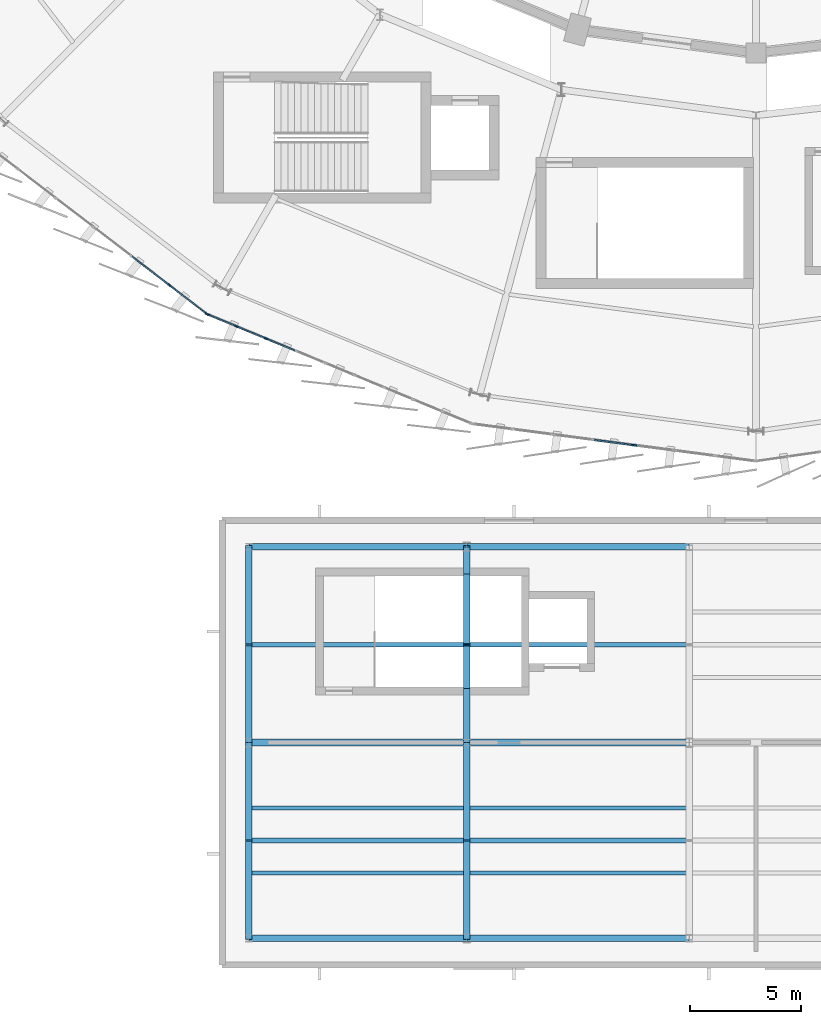
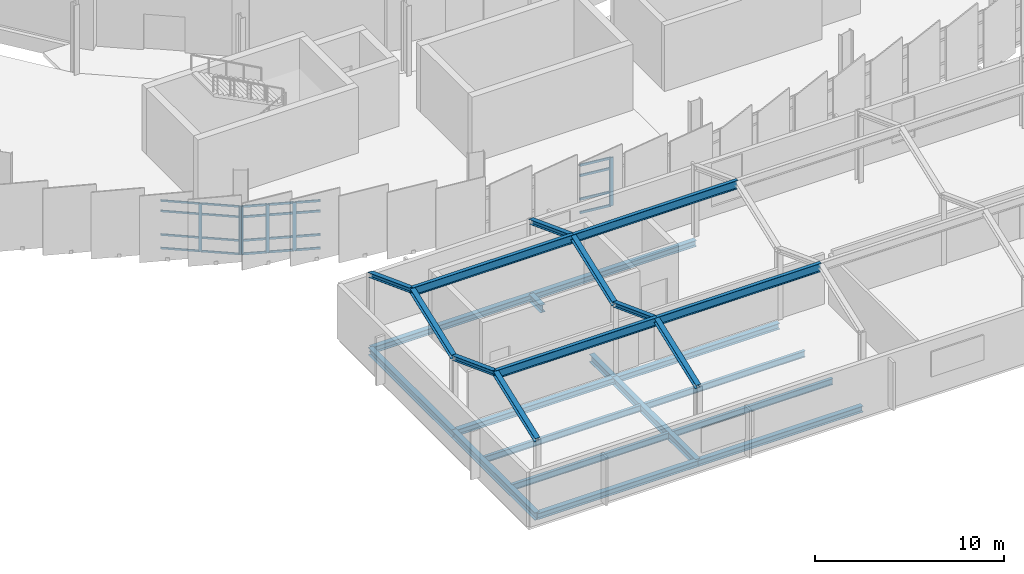
# One storey, part 15 of 87: 30 members, 27 beams, 3 elements without a shape of their own.
"""IFC4 building model written with IfcOpenShell, lengths in metres."""

from ifc_helpers import new_model, si_unit, direction, frame, origin, origin_2d, place, context, subcontext, project, spatial, rectangle, i_section, extrude, material, layer, layer_set, material_profile, profile_set, type_object, element, aggregate, save


model = new_model("IFC4")

# Units and contexts
model_context = context("Model", 3, precision=1e-05, world=origin(), true_north=direction((0.0, 1.0)))
body_context = subcontext(model_context, "Body", "Model", "MODEL_VIEW")
ifc_project = project(units=[si_unit("LENGTHUNIT", "METRE"), si_unit("AREAUNIT", "SQUARE_METRE"), si_unit("VOLUMEUNIT", "CUBIC_METRE"), si_unit("PLANEANGLEUNIT", "RADIAN"), si_unit("MASSUNIT", "GRAM", prefix="KILO")], contexts=[model_context])

# Site, building, storey
site_placement = place(None, origin())
site = spatial("IfcSite", under=ifc_project, at=site_placement, CompositionType="ELEMENT")
building_placement = place(site_placement, origin())
building = spatial("IfcBuilding", under=site, at=building_placement, Name="Sohan Crest Arena", CompositionType="ELEMENT")
storey_placement = place(building_placement, frame((0.0, 0.0, 18.0)))
storey = spatial("IfcBuildingStorey", under=building, at=storey_placement, Name="L04", CompositionType="ELEMENT", Elevation=18.0)

# Curtain wall, members
ifc_material_1 = material(Name="Thermally broken anodised aluminium", Category="aluminium")
ifc_layer_1 = layer(ifc_material_1, 0.239990234375, Name="Thermally broken anodised aluminium")
ifc_layer_set_1 = layer_set([ifc_layer_1], Name="Thermally broken anodised aluminium")
curtain_wall_type_1 = type_object("IfcCurtainWallType", Name="ARC-CW04", PredefinedType="NOTDEFINED", material=ifc_layer_set_1)
curtain_wall_1_placement = place(storey_placement, origin())
curtain_wall_1 = element("IfcCurtainWall", 1, at=curtain_wall_1_placement, inside=storey, type_object=curtain_wall_type_1, Name="Unitised curtain wall CW-121", PredefinedType="NOTDEFINED")
ifc_material_profile_1 = material_profile(ifc_material_1, rectangle(XDim=0.06494140625, YDim=0.179931640625, at=origin_2d()), Name="ALU-MULL 65x180")
ifc_profile_set_1 = profile_set([ifc_material_profile_1], Name="Thermally broken anodised aluminium")
member_type_1 = type_object("IfcMemberType", Name="ARC-CW-ML02", PredefinedType="MULLION", material=ifc_profile_set_1)
member_1_placement = place(storey_placement, frame((71.62158203125, 36.569091796875, 0.0), z_axis=(0.0, 0.0, 1.0), x_axis=(0.60871994181, 0.793385172815, 0.0)))
member_1 = element("IfcMember", 2, at=member_1_placement, type_object=member_type_1, Name="CW-121 mullion 6", PredefinedType="MULLION", context=body_context, shape_type="SweptSolid", body=[
    extrude(rectangle(XDim=0.06494140625, YDim=0.179931640625, at=origin_2d()), origin(), (0.0, 0.0, 1.0), 3.1201171875),
])
member_2_placement = place(storey_placement, frame((73.29931640625, 35.28173828125, 0.0), z_axis=(0.0, 0.0, 1.0), x_axis=(0.60871994181, 0.793385172815, 0.0)))
member_2 = element("IfcMember", 3, at=member_2_placement, type_object=member_type_1, Name="CW-121 mullion 7", PredefinedType="MULLION", context=body_context, shape_type="SweptSolid", body=[
    extrude(rectangle(XDim=0.06494140625, YDim=0.179931640625, at=origin_2d()), origin(), (0.0, 0.0, 1.0), 3.1201171875),
])

ifc_layer_2 = layer(ifc_material_1, 0.18994140625, Name="Thermally broken anodised aluminium")
ifc_layer_set_2 = layer_set([ifc_layer_2], Name="Thermally broken anodised aluminium")
curtain_wall_type_2 = type_object("IfcCurtainWallType", Name="ARC-CW05", PredefinedType="NOTDEFINED", material=ifc_layer_set_2)
curtain_wall_2_placement = place(storey_placement, origin())
curtain_wall_2 = element("IfcCurtainWall", 4, at=curtain_wall_2_placement, inside=storey, type_object=curtain_wall_type_2, Name="Unitised curtain wall CW-122", PredefinedType="NOTDEFINED")
ifc_material_profile_2 = material_profile(ifc_material_1, rectangle(XDim=0.070068359375, YDim=0.199951171875, at=origin_2d()), Name="ALU-MULL 70x200")
ifc_profile_set_2 = profile_set([ifc_material_profile_2], Name="Thermally broken anodised aluminium")
member_type_2 = type_object("IfcMemberType", Name="ARC-CW-ML03", PredefinedType="MULLION", material=ifc_profile_set_2)
member_3_placement = place(storey_placement, frame((73.357421875, 35.24853515625, 0.0), z_axis=(0.0, 0.0, 1.0), x_axis=(0.382685432009, 0.923878704229, 0.0)))
member_3 = element("IfcMember", 5, at=member_3_placement, type_object=member_type_2, Name="CW-122 mullion 1", PredefinedType="MULLION", context=body_context, shape_type="SweptSolid", body=[
    extrude(rectangle(XDim=0.070068359375, YDim=0.199951171875, at=origin_2d()), origin(), (0.0, 0.0, 1.0), 3.1201171875),
])
member_4_placement = place(storey_placement, frame((74.6474609375, 34.714111328125, 0.0), z_axis=(0.0, 0.0, 1.0), x_axis=(0.382685432009, 0.923878704229, 0.0)))
member_4 = element("IfcMember", 6, at=member_4_placement, type_object=member_type_2, Name="CW-122 mullion 2", PredefinedType="MULLION", context=body_context, shape_type="SweptSolid", body=[
    extrude(rectangle(XDim=0.070068359375, YDim=0.199951171875, at=origin_2d()), origin(), (0.0, 0.0, 1.0), 3.1201171875),
])
member_5_placement = place(storey_placement, frame((75.969970703125, 34.16650390625, 0.0), z_axis=(0.0, 0.0, 1.0), x_axis=(0.382685432009, 0.923878704229, 0.0)))
member_5 = element("IfcMember", 7, at=member_5_placement, type_object=member_type_2, Name="CW-122 mullion 3", PredefinedType="MULLION", context=body_context, shape_type="SweptSolid", body=[
    extrude(rectangle(XDim=0.070068359375, YDim=0.199951171875, at=origin_2d()), origin(), (0.0, 0.0, 1.0), 3.1201171875),
])

# Curtain wall, member
ifc_layer_3 = layer(ifc_material_1, 0.2099609375, Name="Thermally broken anodised aluminium")
ifc_layer_set_3 = layer_set([ifc_layer_3], Name="Thermally broken anodised aluminium")
curtain_wall_type_3 = type_object("IfcCurtainWallType", Name="ARC-CW06", PredefinedType="NOTDEFINED", material=ifc_layer_set_3)
curtain_wall_3_placement = place(storey_placement, origin())
curtain_wall_3 = element("IfcCurtainWall", 8, at=curtain_wall_3_placement, inside=storey, type_object=curtain_wall_type_3, Name="Unitised curtain wall CW-123", PredefinedType="NOTDEFINED")
ifc_material_profile_3 = material_profile(ifc_material_1, rectangle(XDim=0.074951171875, YDim=0.219970703125, at=origin_2d()), Name="ALU-MULL 75x220")
ifc_profile_set_3 = profile_set([ifc_material_profile_3], Name="Thermally broken anodised aluminium")
member_type_3 = type_object("IfcMemberType", Name="ARC-CW-ML04", PredefinedType="MULLION", material=ifc_profile_set_3)
member_6_placement = place(storey_placement, frame((92.52587890625, 29.370849609375, 0.0), z_axis=(0.0, 0.0, 1.0), x_axis=(0.130556913275, 0.991440816386, 0.0)))
member_6 = element("IfcMember", 9, at=member_6_placement, type_object=member_type_3, Name="CW-123 mullion 5", PredefinedType="MULLION", context=body_context, shape_type="SweptSolid", body=[
    extrude(rectangle(XDim=0.074951171875, YDim=0.219970703125, at=origin_2d()), origin(), (0.0, 0.0, 1.0), 3.1201171875),
])

# Member
ifc_material_profile_4 = material_profile(ifc_material_1, rectangle(XDim=0.06005859375, YDim=0.1201171875, at=origin_2d()), Name="ALU-TRAN 60x120")
ifc_profile_set_4 = profile_set([ifc_material_profile_4], Name="Thermally broken anodised aluminium")
member_type_4 = type_object("IfcMemberType", Name="ARC-CW-TR01", PredefinedType="USERDEFINED", material=ifc_profile_set_4)
member_7_placement = place(storey_placement, frame((69.94384765625, 37.856201171875, 0.030029296875), z_axis=(0.79339492991, -0.608707224529, 0.0), x_axis=(0.608707224529, 0.79339492991, 0.0)))
member_7 = element("IfcMember", 10, at=member_7_placement, type_object=member_type_4, Name="CW-121 transom 5.1", ObjectType="TRANSOM", PredefinedType="USERDEFINED", context=body_context, shape_type="SweptSolid", body=[
    extrude(rectangle(XDim=0.06005859375, YDim=0.1201171875, at=origin_2d()), origin(), (0.0, 0.0, 1.0), 2.08203125),
])

member_8_placement = place(storey_placement, frame((69.94384765625, 37.856201171875, 0.89990234375), z_axis=(0.79339492991, -0.608707224529, 0.0), x_axis=(0.608707224529, 0.79339492991, 0.0)))
member_8 = element("IfcMember", 11, at=member_8_placement, type_object=member_type_4, Name="CW-121 transom 5.2", ObjectType="TRANSOM", PredefinedType="USERDEFINED", context=body_context, shape_type="SweptSolid", body=[
    extrude(rectangle(XDim=0.06005859375, YDim=0.1201171875, at=origin_2d()), origin(), (0.0, 0.0, 1.0), 2.08203125),
])

member_9_placement = place(storey_placement, frame((69.94384765625, 37.856201171875, 2.419921875), z_axis=(0.79339492991, -0.608707224529, 0.0), x_axis=(0.608707224529, 0.79339492991, 0.0)))
member_9 = element("IfcMember", 12, at=member_9_placement, type_object=member_type_4, Name="CW-121 transom 5.3", ObjectType="TRANSOM", PredefinedType="USERDEFINED", context=body_context, shape_type="SweptSolid", body=[
    extrude(rectangle(XDim=0.06005859375, YDim=0.1201171875, at=origin_2d()), origin(), (0.0, 0.0, 1.0), 2.08203125),
])

member_10_placement = place(storey_placement, frame((69.94384765625, 37.856201171875, 3.090087890625), z_axis=(0.79339492991, -0.608707224529, 0.0), x_axis=(0.608707224529, 0.79339492991, 0.0)))
member_10 = element("IfcMember", 13, at=member_10_placement, type_object=member_type_4, Name="CW-121 transom 5.4", ObjectType="TRANSOM", PredefinedType="USERDEFINED", context=body_context, shape_type="SweptSolid", body=[
    extrude(rectangle(XDim=0.06005859375, YDim=0.1201171875, at=origin_2d()), origin(), (0.0, 0.0, 1.0), 2.08203125),
])

member_11_placement = place(storey_placement, frame((71.647216796875, 36.54931640625, 0.030029296875), z_axis=(0.793362835442, -0.608749054488, 0.0), x_axis=(0.608749054488, 0.793362835442, 0.0)))
member_11 = element("IfcMember", 14, at=member_11_placement, type_object=member_type_4, Name="CW-121 transom 6.1", ObjectType="TRANSOM", PredefinedType="USERDEFINED", context=body_context, shape_type="SweptSolid", body=[
    extrude(rectangle(XDim=0.06005859375, YDim=0.1201171875, at=origin_2d()), origin(), (0.0, 0.0, 1.0), 2.0498046875),
])

member_12_placement = place(storey_placement, frame((71.647216796875, 36.54931640625, 0.89990234375), z_axis=(0.793362835442, -0.608749054488, 0.0), x_axis=(0.608749054488, 0.793362835442, 0.0)))
member_12 = element("IfcMember", 15, at=member_12_placement, type_object=member_type_4, Name="CW-121 transom 6.2", ObjectType="TRANSOM", PredefinedType="USERDEFINED", context=body_context, shape_type="SweptSolid", body=[
    extrude(rectangle(XDim=0.06005859375, YDim=0.1201171875, at=origin_2d()), origin(), (0.0, 0.0, 1.0), 2.0498046875),
])

member_13_placement = place(storey_placement, frame((71.647216796875, 36.54931640625, 2.419921875), z_axis=(0.793362835442, -0.608749054488, 0.0), x_axis=(0.608749054488, 0.793362835442, 0.0)))
member_13 = element("IfcMember", 16, at=member_13_placement, type_object=member_type_4, Name="CW-121 transom 6.3", ObjectType="TRANSOM", PredefinedType="USERDEFINED", context=body_context, shape_type="SweptSolid", body=[
    extrude(rectangle(XDim=0.06005859375, YDim=0.1201171875, at=origin_2d()), origin(), (0.0, 0.0, 1.0), 2.0498046875),
])

member_14_placement = place(storey_placement, frame((71.647216796875, 36.54931640625, 3.090087890625), z_axis=(0.793362835442, -0.608749054488, 0.0), x_axis=(0.608749054488, 0.793362835442, 0.0)))
member_14 = element("IfcMember", 17, at=member_14_placement, type_object=member_type_4, Name="CW-121 transom 6.4", ObjectType="TRANSOM", PredefinedType="USERDEFINED", context=body_context, shape_type="SweptSolid", body=[
    extrude(rectangle(XDim=0.06005859375, YDim=0.1201171875, at=origin_2d()), origin(), (0.0, 0.0, 1.0), 2.0498046875),
])

aggregate(curtain_wall_1, [member_1, member_2, member_7, member_8, member_9, member_10, member_11, member_12, member_13, member_14])

ifc_material_profile_5 = material_profile(ifc_material_1, rectangle(XDim=0.06494140625, YDim=0.139892578125, at=origin_2d()), Name="ALU-TRAN 65x140")
ifc_profile_set_5 = profile_set([ifc_material_profile_5], Name="Thermally broken anodised aluminium")
member_type_5 = type_object("IfcMemberType", Name="ARC-CW-TR02", PredefinedType="USERDEFINED", material=ifc_profile_set_5)
member_15_placement = place(storey_placement, frame((73.3896484375, 35.235107421875, 0.032470703125), z_axis=(0.923875488976, -0.382693194178, 0.0), x_axis=(0.382693194178, 0.923875488976, 0.0)))
member_15 = element("IfcMember", 18, at=member_15_placement, type_object=member_type_5, Name="CW-122 transom 1.1", ObjectType="TRANSOM", PredefinedType="USERDEFINED", context=body_context, shape_type="SweptSolid", body=[
    extrude(rectangle(XDim=0.06494140625, YDim=0.139892578125, at=origin_2d()), origin(), (0.0, 0.0, 1.0), 1.326416015625),
])

member_16_placement = place(storey_placement, frame((73.3896484375, 35.235107421875, 0.89990234375), z_axis=(0.923875488976, -0.382693194178, 0.0), x_axis=(0.382693194178, 0.923875488976, 0.0)))
member_16 = element("IfcMember", 19, at=member_16_placement, type_object=member_type_5, Name="CW-122 transom 1.2", ObjectType="TRANSOM", PredefinedType="USERDEFINED", context=body_context, shape_type="SweptSolid", body=[
    extrude(rectangle(XDim=0.06494140625, YDim=0.139892578125, at=origin_2d()), origin(), (0.0, 0.0, 1.0), 1.326416015625),
])

member_17_placement = place(storey_placement, frame((73.3896484375, 35.235107421875, 2.419921875), z_axis=(0.923875488976, -0.382693194178, 0.0), x_axis=(0.382693194178, 0.923875488976, 0.0)))
member_17 = element("IfcMember", 20, at=member_17_placement, type_object=member_type_5, Name="CW-122 transom 1.3", ObjectType="TRANSOM", PredefinedType="USERDEFINED", context=body_context, shape_type="SweptSolid", body=[
    extrude(rectangle(XDim=0.06494140625, YDim=0.139892578125, at=origin_2d()), origin(), (0.0, 0.0, 1.0), 1.326416015625),
])

member_18_placement = place(storey_placement, frame((73.3896484375, 35.235107421875, 3.08740234375), z_axis=(0.923875488976, -0.382693194178, 0.0), x_axis=(0.382693194178, 0.923875488976, 0.0)))
member_18 = element("IfcMember", 21, at=member_18_placement, type_object=member_type_5, Name="CW-122 transom 1.4", ObjectType="TRANSOM", PredefinedType="USERDEFINED", context=body_context, shape_type="SweptSolid", body=[
    extrude(rectangle(XDim=0.06494140625, YDim=0.139892578125, at=origin_2d()), origin(), (0.0, 0.0, 1.0), 1.326416015625),
])

member_19_placement = place(storey_placement, frame((74.6796875, 34.700927734375, 0.032470703125), z_axis=(0.923881325056, -0.38267910475, 0.0), x_axis=(0.38267910475, 0.923881325056, 0.0)))
member_19 = element("IfcMember", 22, at=member_19_placement, type_object=member_type_5, Name="CW-122 transom 2.1", ObjectType="TRANSOM", PredefinedType="USERDEFINED", context=body_context, shape_type="SweptSolid", body=[
    extrude(rectangle(XDim=0.06494140625, YDim=0.139892578125, at=origin_2d()), origin(), (0.0, 0.0, 1.0), 1.361328125),
])

member_20_placement = place(storey_placement, frame((74.6796875, 34.700927734375, 0.89990234375), z_axis=(0.923881325056, -0.38267910475, 0.0), x_axis=(0.38267910475, 0.923881325056, 0.0)))
member_20 = element("IfcMember", 23, at=member_20_placement, type_object=member_type_5, Name="CW-122 transom 2.2", ObjectType="TRANSOM", PredefinedType="USERDEFINED", context=body_context, shape_type="SweptSolid", body=[
    extrude(rectangle(XDim=0.06494140625, YDim=0.139892578125, at=origin_2d()), origin(), (0.0, 0.0, 1.0), 1.361328125),
])

member_21_placement = place(storey_placement, frame((74.6796875, 34.700927734375, 2.419921875), z_axis=(0.923881325056, -0.38267910475, 0.0), x_axis=(0.38267910475, 0.923881325056, 0.0)))
member_21 = element("IfcMember", 24, at=member_21_placement, type_object=member_type_5, Name="CW-122 transom 2.3", ObjectType="TRANSOM", PredefinedType="USERDEFINED", context=body_context, shape_type="SweptSolid", body=[
    extrude(rectangle(XDim=0.06494140625, YDim=0.139892578125, at=origin_2d()), origin(), (0.0, 0.0, 1.0), 1.361328125),
])

member_22_placement = place(storey_placement, frame((74.6796875, 34.700927734375, 3.08740234375), z_axis=(0.923881325056, -0.38267910475, 0.0), x_axis=(0.38267910475, 0.923881325056, 0.0)))
member_22 = element("IfcMember", 25, at=member_22_placement, type_object=member_type_5, Name="CW-122 transom 2.4", ObjectType="TRANSOM", PredefinedType="USERDEFINED", context=body_context, shape_type="SweptSolid", body=[
    extrude(rectangle(XDim=0.06494140625, YDim=0.139892578125, at=origin_2d()), origin(), (0.0, 0.0, 1.0), 1.361328125),
])

member_23_placement = place(storey_placement, frame((76.002197265625, 34.153076171875, 0.032470703125), z_axis=(0.923881325056, -0.38267910475, 0.0), x_axis=(0.38267910475, 0.923881325056, 0.0)))
member_23 = element("IfcMember", 26, at=member_23_placement, type_object=member_type_5, Name="CW-122 transom 3.1", ObjectType="TRANSOM", PredefinedType="USERDEFINED", context=body_context, shape_type="SweptSolid", body=[
    extrude(rectangle(XDim=0.06494140625, YDim=0.139892578125, at=origin_2d()), origin(), (0.0, 0.0, 1.0), 1.361328125),
])

member_24_placement = place(storey_placement, frame((76.002197265625, 34.153076171875, 0.89990234375), z_axis=(0.923881325056, -0.38267910475, 0.0), x_axis=(0.38267910475, 0.923881325056, 0.0)))
member_24 = element("IfcMember", 27, at=member_24_placement, type_object=member_type_5, Name="CW-122 transom 3.2", ObjectType="TRANSOM", PredefinedType="USERDEFINED", context=body_context, shape_type="SweptSolid", body=[
    extrude(rectangle(XDim=0.06494140625, YDim=0.139892578125, at=origin_2d()), origin(), (0.0, 0.0, 1.0), 1.361328125),
])

member_25_placement = place(storey_placement, frame((76.002197265625, 34.153076171875, 2.419921875), z_axis=(0.923881325056, -0.38267910475, 0.0), x_axis=(0.38267910475, 0.923881325056, 0.0)))
member_25 = element("IfcMember", 28, at=member_25_placement, type_object=member_type_5, Name="CW-122 transom 3.3", ObjectType="TRANSOM", PredefinedType="USERDEFINED", context=body_context, shape_type="SweptSolid", body=[
    extrude(rectangle(XDim=0.06494140625, YDim=0.139892578125, at=origin_2d()), origin(), (0.0, 0.0, 1.0), 1.361328125),
])

member_26_placement = place(storey_placement, frame((76.002197265625, 34.153076171875, 3.08740234375), z_axis=(0.923881325056, -0.38267910475, 0.0), x_axis=(0.38267910475, 0.923881325056, 0.0)))
member_26 = element("IfcMember", 29, at=member_26_placement, type_object=member_type_5, Name="CW-122 transom 3.4", ObjectType="TRANSOM", PredefinedType="USERDEFINED", context=body_context, shape_type="SweptSolid", body=[
    extrude(rectangle(XDim=0.06494140625, YDim=0.139892578125, at=origin_2d()), origin(), (0.0, 0.0, 1.0), 1.361328125),
])

aggregate(curtain_wall_2, [member_3, member_4, member_5, member_15, member_16, member_17, member_18, member_19, member_20, member_21, member_22, member_23, member_24, member_25, member_26])

ifc_material_profile_6 = material_profile(ifc_material_1, rectangle(XDim=0.070068359375, YDim=0.14990234375, at=origin_2d()), Name="ALU-TRAN 70x150")
ifc_profile_set_6 = profile_set([ifc_material_profile_6], Name="Thermally broken anodised aluminium")
member_type_6 = type_object("IfcMemberType", Name="ARC-CW-TR03", PredefinedType="USERDEFINED", material=ifc_profile_set_6)
member_27_placement = place(storey_placement, frame((90.73828125, 29.606201171875, 0.034912109375), z_axis=(0.99144393814, -0.130533204687, 0.0), x_axis=(0.130533204687, 0.99144393814, 0.0)))
member_27 = element("IfcMember", 30, at=member_27_placement, type_object=member_type_6, Name="CW-123 transom 4.1", ObjectType="TRANSOM", PredefinedType="USERDEFINED", context=body_context, shape_type="SweptSolid", body=[
    extrude(rectangle(XDim=0.070068359375, YDim=0.14990234375, at=origin_2d()), origin(), (0.0, 0.0, 1.0), 1.765625),
])

member_28_placement = place(storey_placement, frame((90.73828125, 29.606201171875, 0.89990234375), z_axis=(0.99144393814, -0.130533204687, 0.0), x_axis=(0.130533204687, 0.99144393814, 0.0)))
member_28 = element("IfcMember", 31, at=member_28_placement, type_object=member_type_6, Name="CW-123 transom 4.2", ObjectType="TRANSOM", PredefinedType="USERDEFINED", context=body_context, shape_type="SweptSolid", body=[
    extrude(rectangle(XDim=0.070068359375, YDim=0.14990234375, at=origin_2d()), origin(), (0.0, 0.0, 1.0), 1.765625),
])

member_29_placement = place(storey_placement, frame((90.73828125, 29.606201171875, 2.419921875), z_axis=(0.99144393814, -0.130533204687, 0.0), x_axis=(0.130533204687, 0.99144393814, 0.0)))
member_29 = element("IfcMember", 32, at=member_29_placement, type_object=member_type_6, Name="CW-123 transom 4.3", ObjectType="TRANSOM", PredefinedType="USERDEFINED", context=body_context, shape_type="SweptSolid", body=[
    extrude(rectangle(XDim=0.070068359375, YDim=0.14990234375, at=origin_2d()), origin(), (0.0, 0.0, 1.0), 1.765625),
])

member_30_placement = place(storey_placement, frame((90.73828125, 29.606201171875, 3.0849609375), z_axis=(0.99144393814, -0.130533204687, 0.0), x_axis=(0.130533204687, 0.99144393814, 0.0)))
member_30 = element("IfcMember", 33, at=member_30_placement, type_object=member_type_6, Name="CW-123 transom 4.4", ObjectType="TRANSOM", PredefinedType="USERDEFINED", context=body_context, shape_type="SweptSolid", body=[
    extrude(rectangle(XDim=0.070068359375, YDim=0.14990234375, at=origin_2d()), origin(), (0.0, 0.0, 1.0), 1.765625),
])

aggregate(curtain_wall_3, [member_6, member_27, member_28, member_29, member_30])

# Beams
ifc_material_2 = material(Name="Steel S355", Category="steel")
ifc_material_profile_7 = material_profile(ifc_material_2, i_section(OverallWidth=0.179931640625, OverallDepth=0.39990234375, WebThickness=0.008544921875, FlangeThickness=0.013427734375, at=origin_2d()), Name="IPE 400")
ifc_profile_set_7 = profile_set([ifc_material_profile_7], Name="Steel S355")
beam_type_1 = type_object("IfcBeamType", Name="STR-BM-B03", PredefinedType="JOIST", material=ifc_profile_set_7)
for number, where, z_axis, x_axis, name in (
    (34, (75.31005859375, 10.133056640625, -0.449951171875), (1.0, 0.0, 0.0), (0.0, 1.0, 0.0), "Structural beam J-L04-2793"),
    (35, (75.31005859375, 13.06689453125, -0.449951171875), (1.0, 0.0, 0.0), (0.0, 1.0, 0.0), "Structural beam J-L04-2794"),
):
    element("IfcBeam", number, at=place(storey_placement, frame(where, z_axis=z_axis, x_axis=x_axis)), inside=storey, type_object=beam_type_1, Name=name, PredefinedType="JOIST", context=body_context, shape_type="SweptSolid", body=[
        extrude(i_section(OverallWidth=0.179931640625, OverallDepth=0.39990234375, WebThickness=0.008544921875, FlangeThickness=0.013427734375, at=origin_2d()), origin(), (0.0, 0.0, 1.0), 9.579833984375),
    ])
for number, where, z_axis, x_axis, name in (
    (36, (85.110107421875, 10.133056640625, -0.449951171875), (1.0, 0.0, 0.0), (0.0, 1.0, 0.0), "Structural beam J-L04-2796"),
    (37, (85.110107421875, 13.06689453125, -0.449951171875), (1.0, 0.0, 0.0), (0.0, 1.0, 0.0), "Structural beam J-L04-2797"),
):
    element("IfcBeam", number, at=place(storey_placement, frame(where, z_axis=z_axis, x_axis=x_axis)), inside=storey, type_object=beam_type_1, Name=name, PredefinedType="JOIST", context=body_context, shape_type="SweptSolid", body=[
        extrude(i_section(OverallWidth=0.179931640625, OverallDepth=0.39990234375, WebThickness=0.008544921875, FlangeThickness=0.013427734375, at=origin_2d()), origin(), (0.0, 0.0, 1.0), 9.77978515625),
    ])
ifc_material_profile_8 = material_profile(ifc_material_2, i_section(OverallWidth=0.2099609375, OverallDepth=0.550048828125, WebThickness=0.010986328125, FlangeThickness=0.01708984375, at=origin_2d()), Name="IPE 550")
ifc_profile_set_8 = profile_set([ifc_material_profile_8], Name="Steel S355")
beam_type_2 = type_object("IfcBeamType", Name="STR-BM-B06", PredefinedType="BEAM", material=ifc_profile_set_8)
beam_1_placement = place(storey_placement, frame((75.199951171875, 11.60009765625, 5.988037109375), z_axis=(1.0, 0.0, 0.0), x_axis=(0.0, 1.0, 0.0)))
element("IfcBeam", 38, at=beam_1_placement, inside=storey, type_object=beam_type_2, Name="Structural beam BVP-L04-3209", PredefinedType="BEAM", context=body_context, shape_type="SweptSolid", body=[
    extrude(i_section(OverallWidth=0.2099609375, OverallDepth=0.550048828125, WebThickness=0.010986328125, FlangeThickness=0.01708984375, at=origin_2d()), origin(), (0.0, 0.0, 1.0), 9.800048828125),
])
beam_2_placement = place(storey_placement, frame((85.0, 11.60009765625, 5.988037109375), z_axis=(1.0, 0.0, 0.0), x_axis=(0.0, 1.0, 0.0)))
element("IfcBeam", 39, at=beam_2_placement, inside=storey, type_object=beam_type_2, Name="Structural beam BVP-L04-3210", PredefinedType="BEAM", context=body_context, shape_type="SweptSolid", body=[
    extrude(i_section(OverallWidth=0.2099609375, OverallDepth=0.550048828125, WebThickness=0.010986328125, FlangeThickness=0.01708984375, at=origin_2d()), origin(), (0.0, 0.0, 1.0), 10.0),
])
beam_3_placement = place(storey_placement, frame((75.199951171875, 20.39990234375, 5.988037109375), z_axis=(1.0, 0.0, 0.0), x_axis=(0.0, 1.0, 0.0)))
element("IfcBeam", 40, at=beam_3_placement, inside=storey, type_object=beam_type_2, Name="Structural beam BVP-L04-3229", PredefinedType="BEAM", context=body_context, shape_type="SweptSolid", body=[
    extrude(i_section(OverallWidth=0.2099609375, OverallDepth=0.550048828125, WebThickness=0.010986328125, FlangeThickness=0.01708984375, at=origin_2d()), origin(), (0.0, 0.0, 1.0), 9.800048828125),
])
beam_4_placement = place(storey_placement, frame((85.0, 20.39990234375, 5.988037109375), z_axis=(1.0, 0.0, 0.0), x_axis=(0.0, 1.0, 0.0)))
element("IfcBeam", 41, at=beam_4_placement, inside=storey, type_object=beam_type_2, Name="Structural beam BVP-L04-3230", PredefinedType="BEAM", context=body_context, shape_type="SweptSolid", body=[
    extrude(i_section(OverallWidth=0.2099609375, OverallDepth=0.550048828125, WebThickness=0.010986328125, FlangeThickness=0.01708984375, at=origin_2d()), origin(), (0.0, 0.0, 1.0), 10.0),
])
ifc_material_profile_9 = material_profile(ifc_material_2, i_section(OverallWidth=0.300048828125, OverallDepth=0.2900390625, WebThickness=0.008544921875, FlangeThickness=0.013916015625, at=origin_2d()), Name="HEA 300")
ifc_profile_set_9 = profile_set([ifc_material_profile_9], Name="Steel S355")
beam_type_3 = type_object("IfcBeamType", Name="STR-BM-B08", PredefinedType="BEAM", material=ifc_profile_set_9)
beam_5_placement = place(storey_placement, frame((75.199951171875, 7.199951171875, 4.419921875), z_axis=(0.0, 0.93562113017, 0.35300580842), x_axis=(-1.0, 0.0, 0.0)))
element("IfcBeam", 42, at=beam_5_placement, inside=storey, type_object=beam_type_3, Name="Structural beam BVA-L04-3195", PredefinedType="BEAM", context=body_context, shape_type="SweptSolid", body=[
    extrude(i_section(OverallWidth=0.300048828125, OverallDepth=0.2900390625, WebThickness=0.008544921875, FlangeThickness=0.013916015625, at=origin_2d()), origin(), (0.0, 0.0, 1.0), 4.702880859375),
])
beam_6_placement = place(storey_placement, frame((75.199951171875, 11.60009765625, 6.080078125), z_axis=(0.0, 0.935614660707, -0.353022954878), x_axis=(-1.0, 0.0, 0.0)))
element("IfcBeam", 43, at=beam_6_placement, inside=storey, type_object=beam_type_3, Name="Structural beam BVA-L04-3196", PredefinedType="BEAM", context=body_context, shape_type="SweptSolid", body=[
    extrude(i_section(OverallWidth=0.300048828125, OverallDepth=0.2900390625, WebThickness=0.008544921875, FlangeThickness=0.013916015625, at=origin_2d()), origin(), (0.0, 0.0, 1.0), 4.70263671875),
])
beam_7_placement = place(storey_placement, frame((85.0, 7.199951171875, 4.419921875), z_axis=(0.0, 0.93562113017, 0.35300580842), x_axis=(-1.0, 0.0, 0.0)))
element("IfcBeam", 44, at=beam_7_placement, inside=storey, type_object=beam_type_3, Name="Structural beam BVA-L04-3197", PredefinedType="BEAM", context=body_context, shape_type="SweptSolid", body=[
    extrude(i_section(OverallWidth=0.300048828125, OverallDepth=0.2900390625, WebThickness=0.008544921875, FlangeThickness=0.013916015625, at=origin_2d()), origin(), (0.0, 0.0, 1.0), 4.702880859375),
])
for number, where, z_axis, x_axis, name in (
    (45, (85.0, 11.60009765625, 6.080078125), (0.0, 0.935614660707, -0.353022954878), (-1.0, 0.0, 0.0), "Structural beam BVA-L04-3198"),
    (46, (75.199951171875, 16.0, 4.419921875), (0.0, 0.935614660707, 0.353022954878), (-1.0, 0.0, 0.0), "Structural beam BVA-L04-3215"),
):
    element("IfcBeam", number, at=place(storey_placement, frame(where, z_axis=z_axis, x_axis=x_axis)), inside=storey, type_object=beam_type_3, Name=name, PredefinedType="BEAM", context=body_context, shape_type="SweptSolid", body=[
        extrude(i_section(OverallWidth=0.300048828125, OverallDepth=0.2900390625, WebThickness=0.008544921875, FlangeThickness=0.013916015625, at=origin_2d()), origin(), (0.0, 0.0, 1.0), 4.70263671875),
    ])
beam_8_placement = place(storey_placement, frame((75.199951171875, 20.39990234375, 6.080078125), z_axis=(0.0, 0.93562113017, -0.35300580842), x_axis=(-1.0, 0.0, 0.0)))
element("IfcBeam", 47, at=beam_8_placement, inside=storey, type_object=beam_type_3, Name="Structural beam BVA-L04-3216", PredefinedType="BEAM", context=body_context, shape_type="SweptSolid", body=[
    extrude(i_section(OverallWidth=0.300048828125, OverallDepth=0.2900390625, WebThickness=0.008544921875, FlangeThickness=0.013916015625, at=origin_2d()), origin(), (0.0, 0.0, 1.0), 4.702880859375),
])
beam_9_placement = place(storey_placement, frame((85.0, 16.0, 4.419921875), z_axis=(0.0, 0.935614660707, 0.353022954878), x_axis=(-1.0, 0.0, 0.0)))
element("IfcBeam", 48, at=beam_9_placement, inside=storey, type_object=beam_type_3, Name="Structural beam BVA-L04-3217", PredefinedType="BEAM", context=body_context, shape_type="SweptSolid", body=[
    extrude(i_section(OverallWidth=0.300048828125, OverallDepth=0.2900390625, WebThickness=0.008544921875, FlangeThickness=0.013916015625, at=origin_2d()), origin(), (0.0, 0.0, 1.0), 4.70263671875),
])
beam_10_placement = place(storey_placement, frame((85.0, 20.39990234375, 6.080078125), z_axis=(0.0, 0.93562113017, -0.35300580842), x_axis=(-1.0, 0.0, 0.0)))
element("IfcBeam", 49, at=beam_10_placement, inside=storey, type_object=beam_type_3, Name="Structural beam BVA-L04-3218", PredefinedType="BEAM", context=body_context, shape_type="SweptSolid", body=[
    extrude(i_section(OverallWidth=0.300048828125, OverallDepth=0.2900390625, WebThickness=0.008544921875, FlangeThickness=0.013916015625, at=origin_2d()), origin(), (0.0, 0.0, 1.0), 4.702880859375),
])
ifc_material_profile_10 = material_profile(ifc_material_2, i_section(OverallWidth=0.300048828125, OverallDepth=0.389892578125, WebThickness=0.010986328125, FlangeThickness=0.01904296875, at=origin_2d()), Name="HEA 400")
ifc_profile_set_10 = profile_set([ifc_material_profile_10], Name="Steel S355")
beam_type_4 = type_object("IfcBeamType", Name="STR-BM-B09", PredefinedType="BEAM", material=ifc_profile_set_10)
beam_11_placement = place(storey_placement, frame((75.199951171875, 7.199951171875, -0.445068359375), z_axis=(1.0, 0.0, 0.0), x_axis=(0.0, 1.0, 0.0)))
element("IfcBeam", 50, at=beam_11_placement, inside=storey, type_object=beam_type_4, Name="Structural beam G-L04-2792", PredefinedType="BEAM", context=body_context, shape_type="SweptSolid", body=[
    extrude(i_section(OverallWidth=0.300048828125, OverallDepth=0.389892578125, WebThickness=0.010986328125, FlangeThickness=0.01904296875, at=origin_2d()), origin(), (0.0, 0.0, 1.0), 9.800048828125),
])
beam_12_placement = place(storey_placement, frame((85.0, 7.199951171875, -0.445068359375), z_axis=(1.0, 0.0, 0.0), x_axis=(0.0, 1.0, 0.0)))
element("IfcBeam", 51, at=beam_12_placement, inside=storey, type_object=beam_type_4, Name="Structural beam G-L04-2795", PredefinedType="BEAM", context=body_context, shape_type="SweptSolid", body=[
    extrude(i_section(OverallWidth=0.300048828125, OverallDepth=0.389892578125, WebThickness=0.010986328125, FlangeThickness=0.01904296875, at=origin_2d()), origin(), (0.0, 0.0, 1.0), 10.0),
])
beam_13_placement = place(storey_placement, frame((75.199951171875, 16.0, -0.445068359375), z_axis=(1.0, 0.0, 0.0), x_axis=(0.0, 1.0, 0.0)))
element("IfcBeam", 52, at=beam_13_placement, inside=storey, type_object=beam_type_4, Name="Structural beam G-L04-2819", PredefinedType="BEAM", context=body_context, shape_type="SweptSolid", body=[
    extrude(i_section(OverallWidth=0.300048828125, OverallDepth=0.389892578125, WebThickness=0.010986328125, FlangeThickness=0.01904296875, at=origin_2d()), origin(), (0.0, 0.0, 1.0), 9.800048828125),
])
beam_14_placement = place(storey_placement, frame((85.0, 16.0, -0.445068359375), z_axis=(1.0, 0.0, 0.0), x_axis=(0.0, 1.0, 0.0)))
element("IfcBeam", 53, at=beam_14_placement, inside=storey, type_object=beam_type_4, Name="Structural beam G-L04-2820", PredefinedType="BEAM", context=body_context, shape_type="SweptSolid", body=[
    extrude(i_section(OverallWidth=0.300048828125, OverallDepth=0.389892578125, WebThickness=0.010986328125, FlangeThickness=0.01904296875, at=origin_2d()), origin(), (0.0, 0.0, 1.0), 10.0),
])
beam_15_placement = place(storey_placement, frame((75.199951171875, 24.800048828125, -0.445068359375), z_axis=(1.0, 0.0, 0.0), x_axis=(0.0, 1.0, 0.0)))
element("IfcBeam", 54, at=beam_15_placement, inside=storey, type_object=beam_type_4, Name="Structural beam G-L04-2838", PredefinedType="BEAM", context=body_context, shape_type="SweptSolid", body=[
    extrude(i_section(OverallWidth=0.300048828125, OverallDepth=0.389892578125, WebThickness=0.010986328125, FlangeThickness=0.01904296875, at=origin_2d()), origin(), (0.0, 0.0, 1.0), 9.800048828125),
])
beam_16_placement = place(storey_placement, frame((85.0, 24.800048828125, -0.445068359375), z_axis=(1.0, 0.0, 0.0), x_axis=(0.0, 1.0, 0.0)))
element("IfcBeam", 55, at=beam_16_placement, inside=storey, type_object=beam_type_4, Name="Structural beam G-L04-2839", PredefinedType="BEAM", context=body_context, shape_type="SweptSolid", body=[
    extrude(i_section(OverallWidth=0.300048828125, OverallDepth=0.389892578125, WebThickness=0.010986328125, FlangeThickness=0.01904296875, at=origin_2d()), origin(), (0.0, 0.0, 1.0), 10.0),
])
ifc_material_profile_11 = material_profile(ifc_material_2, i_section(OverallWidth=0.300048828125, OverallDepth=0.489990234375, WebThickness=0.011962890625, FlangeThickness=0.02294921875, at=origin_2d()), Name="HEA 500")
ifc_profile_set_11 = profile_set([ifc_material_profile_11], Name="Steel S355")
beam_type_5 = type_object("IfcBeamType", Name="STR-BM-B10", PredefinedType="BEAM", material=ifc_profile_set_11)
for number, where, z_axis, x_axis, name in (
    (56, (75.199951171875, 7.199951171875, -0.4951171875), (0.0, 1.0, 0.0), (-1.0, 0.0, 0.0), "Structural beam G-L04-2770"),
    (57, (75.199951171875, 16.0, -0.4951171875), (0.0, 1.0, 0.0), (-1.0, 0.0, 0.0), "Structural beam G-L04-2771"),
    (58, (85.0, 7.199951171875, -0.4951171875), (0.0, 1.0, 0.0), (-1.0, 0.0, 0.0), "Structural beam G-L04-2772"),
):
    element("IfcBeam", number, at=place(storey_placement, frame(where, z_axis=z_axis, x_axis=x_axis)), inside=storey, type_object=beam_type_5, Name=name, PredefinedType="BEAM", context=body_context, shape_type="SweptSolid", body=[
        extrude(i_section(OverallWidth=0.300048828125, OverallDepth=0.489990234375, WebThickness=0.011962890625, FlangeThickness=0.02294921875, at=origin_2d()), origin(), (0.0, 0.0, 1.0), 8.800048828125),
    ])
beam_17_placement = place(storey_placement, frame((85.0, 16.0, -0.4951171875), z_axis=(0.0, 1.0, 0.0), x_axis=(-1.0, 0.0, 0.0)))
element("IfcBeam", 59, at=beam_17_placement, inside=storey, type_object=beam_type_5, Name="Structural beam G-L04-2773", PredefinedType="BEAM", context=body_context, shape_type="SweptSolid", body=[
    extrude(i_section(OverallWidth=0.300048828125, OverallDepth=0.489990234375, WebThickness=0.011962890625, FlangeThickness=0.02294921875, at=origin_2d()), origin(), (0.0, 0.0, 1.0), 2.419921875),
])
beam_18_placement = place(storey_placement, frame((85.0, 23.580078125, -0.4951171875), z_axis=(0.0, 1.0, 0.0), x_axis=(-1.0, 0.0, 0.0)))
element("IfcBeam", 60, at=beam_18_placement, inside=storey, type_object=beam_type_5, Name="Structural beam G-L04-2774", PredefinedType="BEAM", context=body_context, shape_type="SweptSolid", body=[
    extrude(i_section(OverallWidth=0.300048828125, OverallDepth=0.489990234375, WebThickness=0.011962890625, FlangeThickness=0.02294921875, at=origin_2d()), origin(), (0.0, 0.0, 1.0), 1.219970703125),
])

save(model, "model.ifc")
